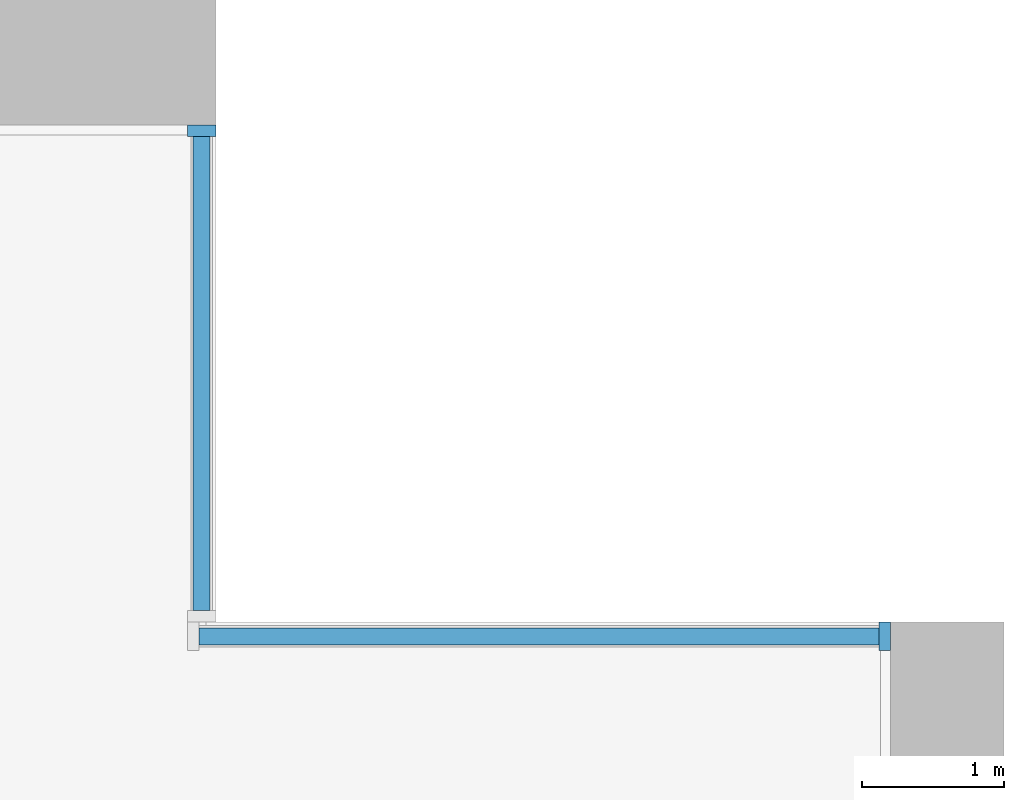
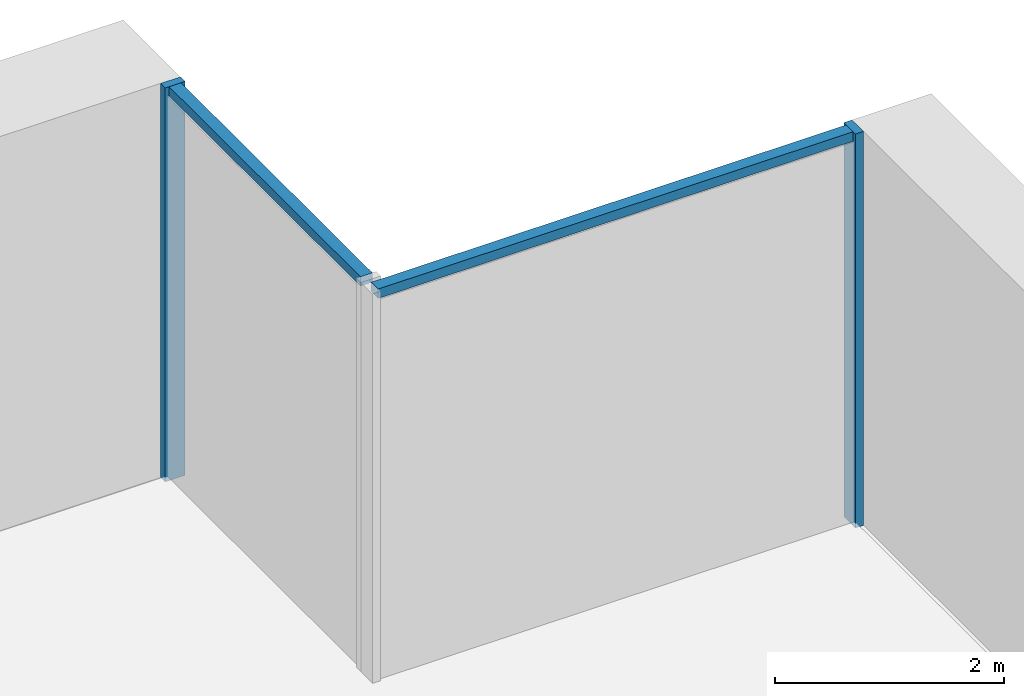
# One storey, part 6 of 18: 4 members, 2 elements without a shape of their own.
"""IFC4 building model written with IfcOpenShell, lengths in metres."""

from ifc_helpers import new_model, si_unit, direction, frame, origin, origin_2d, place, context, subcontext, project, spatial, rectangle, extrude, material, material_profile, profile_set, type_object, element, aggregate, save


model = new_model("IFC4")

# Units and contexts
model_context = context("Model", 3, precision=1e-05, world=origin(), true_north=direction((0.0, 1.0)))
body_context = subcontext(model_context, "Body", "Model", "MODEL_VIEW")
ifc_project = project(units=[si_unit("LENGTHUNIT", "METRE"), si_unit("AREAUNIT", "SQUARE_METRE"), si_unit("VOLUMEUNIT", "CUBIC_METRE"), si_unit("PLANEANGLEUNIT", "RADIAN"), si_unit("MASSUNIT", "GRAM", prefix="KILO")], contexts=[model_context])

# Site, building, storey
site_placement = place(None, origin())
site = spatial("IfcSite", under=ifc_project, at=site_placement, CompositionType="ELEMENT")
building_placement = place(site_placement, origin())
building = spatial("IfcBuilding", under=site, at=building_placement, Name="Calvaro Tower", CompositionType="ELEMENT")
storey_placement = place(building_placement, frame((0.0, 0.0, 90.0)))
storey = spatial("IfcBuildingStorey", under=building, at=storey_placement, Name="L22", CompositionType="ELEMENT", Elevation=90.0)

# Curtain wall, member
ifc_material_1 = material(Name="Anodised aluminium", Category="aluminium")
curtain_wall_type = type_object("IfcCurtainWallType", Name="Louvre wall", PredefinedType="NOTDEFINED", material=ifc_material_1)
curtain_wall_1_placement = place(storey_placement, origin())
curtain_wall_1 = element("IfcCurtainWall", 1, at=curtain_wall_1_placement, inside=storey, type_object=curtain_wall_type, Name="CW8 corner curtain wall", PredefinedType="NOTDEFINED")
ifc_material_2 = material(Name="Anodised aluminium", Category="aluminium")
ifc_material_profile_1 = material_profile(ifc_material_2, rectangle(XDim=0.199951171875, YDim=0.080078125, at=origin_2d()), Name="Mullion LV 80 x 200")
ifc_profile_set_1 = profile_set([ifc_material_profile_1], Name="Anodised aluminium")
member_type_1 = type_object("IfcMemberType", Name="Mullion LV 80 x 200", PredefinedType="MULLION", material=ifc_profile_set_1)
member_1_placement = place(storey_placement, frame((72.35009765625, 44.9599609375, 0.0), z_axis=(0.0, 0.0, 1.0), x_axis=(-1.0, 0.0, 0.0)))
member_1 = element("IfcMember", 2, at=member_1_placement, type_object=member_type_1, Name="CW8 mullion 2", PredefinedType="MULLION", context=body_context, shape_type="SweptSolid", body=[
    extrude(rectangle(XDim=0.199951171875, YDim=0.080078125, at=origin_2d()), origin(), (0.0, 0.0, 1.0), 4.199951171875),
])

curtain_wall_2_placement = place(storey_placement, origin())
curtain_wall_2 = element("IfcCurtainWall", 3, at=curtain_wall_2_placement, inside=storey, type_object=curtain_wall_type, Name="CW8 corner curtain wall", PredefinedType="NOTDEFINED")
member_2_placement = place(storey_placement, frame((77.159912109375, 41.39990234375, 0.0), z_axis=(0.0, 0.0, 1.0), x_axis=(0.0, 1.0, 0.0)))
member_2 = element("IfcMember", 4, at=member_2_placement, type_object=member_type_1, Name="CW8 mullion 2", PredefinedType="MULLION", context=body_context, shape_type="SweptSolid", body=[
    extrude(rectangle(XDim=0.199951171875, YDim=0.080078125, at=origin_2d()), origin(), (0.0, 0.0, 1.0), 4.199951171875),
])

# Member
ifc_material_3 = material(Name="Anodised aluminium", Category="aluminium")
ifc_material_profile_2 = material_profile(ifc_material_3, rectangle(XDim=0.1201171875, YDim=0.10009765625, at=origin_2d()), Name="Transom LV 100 x 120")
ifc_profile_set_2 = profile_set([ifc_material_profile_2], Name="Anodised aluminium")
member_type_2 = type_object("IfcMemberType", Name="Transom LV 100 x 120", PredefinedType="USERDEFINED", material=ifc_profile_set_2)
member_3_placement = place(storey_placement, frame((72.35009765625, 41.580078125, 4.14990234375), z_axis=(0.0, 1.0, 0.0), x_axis=(-1.0, 0.0, 0.0)))
member_3 = element("IfcMember", 5, at=member_3_placement, type_object=member_type_2, Name="CW8 transom 1.1", ObjectType="TRANSOM", PredefinedType="USERDEFINED", context=body_context, shape_type="SweptSolid", body=[
    extrude(rectangle(XDim=0.1201171875, YDim=0.10009765625, at=origin_2d()), origin(), (0.0, 0.0, 1.0), 3.33984375),
])

aggregate(curtain_wall_1, [member_1, member_3])

member_4_placement = place(storey_placement, frame((72.330078125, 41.39990234375, 4.14990234375), z_axis=(1.0, 0.0, 0.0), x_axis=(0.0, 1.0, 0.0)))
member_4 = element("IfcMember", 6, at=member_4_placement, type_object=member_type_2, Name="CW8 transom 1.1", ObjectType="TRANSOM", PredefinedType="USERDEFINED", context=body_context, shape_type="SweptSolid", body=[
    extrude(rectangle(XDim=0.1201171875, YDim=0.10009765625, at=origin_2d()), origin(), (0.0, 0.0, 1.0), 4.7900390625),
])

aggregate(curtain_wall_2, [member_2, member_4])

save(model, "model.ifc")
